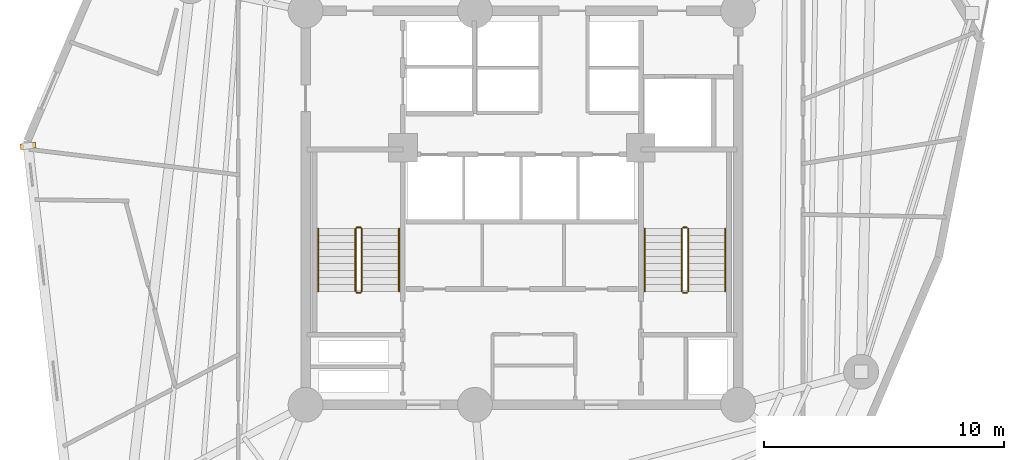
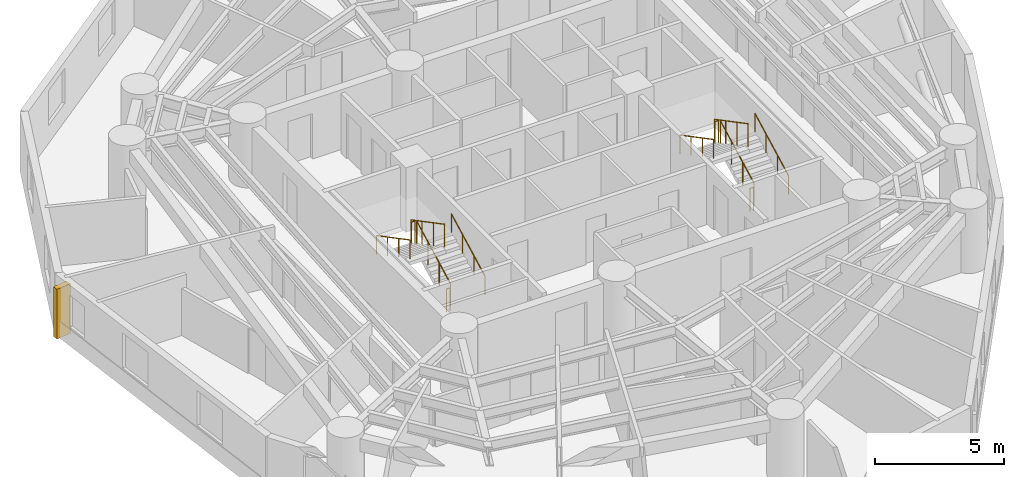
# One storey, part 8 of 9: 12 railings, 1 shading device.
"""IFC4 building model written with IfcOpenShell, lengths in metres."""

from ifc_helpers import new_model, si_unit, direction, frame, origin, origin_with_axes, origin_2d, place, context, subcontext, project, spatial, rectangle, circle, extrude, source, transform, mapped, material, layer, layer_set, type_object, element, save


model = new_model("IFC4")

# Units and contexts
model_context = context("Model", 3, precision=1e-05, world=origin(), true_north=direction((0.0, 1.0)))
body_context = subcontext(model_context, "Body", "Model", "MODEL_VIEW")
ifc_project = project(units=[si_unit("LENGTHUNIT", "METRE"), si_unit("AREAUNIT", "SQUARE_METRE"), si_unit("VOLUMEUNIT", "CUBIC_METRE"), si_unit("PLANEANGLEUNIT", "RADIAN"), si_unit("MASSUNIT", "GRAM", prefix="KILO")], contexts=[model_context])

# Site, building, storey
site_placement = place(None, origin())
site = spatial("IfcSite", under=ifc_project, at=site_placement, CompositionType="ELEMENT")
building_placement = place(site_placement, origin())
building = spatial("IfcBuilding", under=site, at=building_placement, Name="Karkom Vertical University and Central Library", CompositionType="ELEMENT")
storey_placement = place(building_placement, frame((0.0, 0.0, 129.75)))
storey = spatial("IfcBuildingStorey", under=building, at=storey_placement, Name="L36", CompositionType="ELEMENT", Elevation=129.75)

# Railings
ifc_material_1 = material(Name="Painted galvanised steel balustrade", Category="steel")
ifc_layer_1 = layer(ifc_material_1, 0.06005859375)
ifc_layer_set_1 = layer_set([ifc_layer_1], Name="Painted galvanised steel balustrade")
railing_type_1 = type_object("IfcRailingType", Name="INT-RL-GUARD1100", PredefinedType="GUARDRAIL", material=ifc_layer_set_1)
railing_1_placement = place(storey_placement, frame((21.840087890625, 23.02001953125, 0.152587890625)))
element("IfcRailing", 1, at=railing_1_placement, inside=storey, type_object=railing_type_1, Name="Level 36 ST-1 stair guard 1", PredefinedType="GUARDRAIL", context=body_context, shape_type="SweptSolid", body=[
    extrude(circle(Radius=0.02392578125, at=origin_2d()), frame((0.0, 0.0, 1.076171875), z_axis=(0.0, 0.885099554253, 0.465401739426), x_axis=(-1.0, 0.0, 0.0)), (0.0, 0.0, 1.0), 2.94873046875),
    extrude(circle(Radius=0.02099609375, at=origin_2d()), origin(), (0.0, 0.0, 1.0), 1.052001953125),
    extrude(circle(Radius=0.02099609375, at=origin_2d()), frame((0.0, 0.869873046875, 0.45751953125)), (0.0, 0.0, 1.0), 1.052001953125),
    extrude(circle(Radius=0.02099609375, at=origin_2d()), frame((0.0, 1.739990234375, 0.914794921875)), (0.0, 0.0, 1.0), 1.052001953125),
    extrude(circle(Radius=0.02099609375, at=origin_2d()), frame((0.0, 2.60986328125, 1.372314453125)), (0.0, 0.0, 1.0), 1.052001953125),
])
railing_2_placement = place(storey_placement, frame((21.7900390625, 25.679931640625, 1.52490234375)))
element("IfcRailing", 2, at=railing_2_placement, inside=storey, type_object=railing_type_1, Name="Level 36 ST-1 stair guard 2", PredefinedType="GUARDRAIL", context=body_context, shape_type="SweptSolid", body=[
    extrude(circle(Radius=0.02392578125, at=origin_2d()), frame((0.0, 0.0, 1.076171875), z_axis=(-1.0, 0.0, 0.0), x_axis=(0.0, -1.0, 0.0)), (0.0, 0.0, 1.0), 0.16015625),
    extrude(circle(Radius=0.02099609375, at=origin_2d()), origin(), (0.0, 0.0, 1.0), 1.052001953125),
    extrude(circle(Radius=0.02099609375, at=origin_2d()), frame((-0.16015625, 0.0, 0.0)), (0.0, 0.0, 1.0), 1.052001953125),
])
railing_3_placement = place(storey_placement, frame((21.580078125, 25.6298828125, 1.677490234375)))
element("IfcRailing", 3, at=railing_3_placement, inside=storey, type_object=railing_type_1, Name="Level 36 ST-1 stair guard 3", PredefinedType="GUARDRAIL", context=body_context, shape_type="SweptSolid", body=[
    extrude(circle(Radius=0.02392578125, at=origin_2d()), frame((0.0, 0.0, 1.076171875), z_axis=(0.0, -0.885065446896, 0.46546659892), x_axis=(1.0, 0.0, 0.0)), (0.0, 0.0, 1.0), 2.94873046875),
    extrude(circle(Radius=0.02099609375, at=origin_2d()), origin(), (0.0, 0.0, 1.0), 1.052001953125),
    extrude(circle(Radius=0.02099609375, at=origin_2d()), frame((0.0, -0.869873046875, 0.45751953125)), (0.0, 0.0, 1.0), 1.052001953125),
    extrude(circle(Radius=0.02099609375, at=origin_2d()), frame((0.0, -1.739990234375, 0.9150390625)), (0.0, 0.0, 1.0), 1.052001953125),
    extrude(circle(Radius=0.02099609375, at=origin_2d()), frame((0.0, -2.60986328125, 1.37255859375)), (0.0, 0.0, 1.0), 1.052001953125),
])
railing_4_placement = place(storey_placement, frame((21.7900390625, 22.969970703125, 0.0)))
element("IfcRailing", 4, at=railing_4_placement, inside=storey, type_object=railing_type_1, Name="Level 36 ST-1 stair guard 4", PredefinedType="GUARDRAIL", context=body_context, shape_type="SweptSolid", body=[
    extrude(circle(Radius=0.02392578125, at=origin_2d()), frame((0.0, 0.0, 1.076171875), z_axis=(-1.0, 0.0, 0.0), x_axis=(0.0, -1.0, 0.0)), (0.0, 0.0, 1.0), 0.16015625),
    extrude(circle(Radius=0.02099609375, at=origin_2d()), origin(), (0.0, 0.0, 1.0), 1.052001953125),
    extrude(circle(Radius=0.02099609375, at=origin_2d()), frame((-0.16015625, 0.0, 0.0)), (0.0, 0.0, 1.0), 1.052001953125),
])
railing_5_placement = place(storey_placement, frame((35.419921875, 23.02001953125, 0.152587890625)))
element("IfcRailing", 5, at=railing_5_placement, inside=storey, type_object=railing_type_1, Name="Level 36 ST-2 stair guard 1", PredefinedType="GUARDRAIL", context=body_context, shape_type="SweptSolid", body=[
    extrude(circle(Radius=0.02392578125, at=origin_2d()), frame((0.0, 0.0, 1.076171875), z_axis=(0.0, 0.885099554253, 0.465401739426), x_axis=(-1.0, 0.0, 0.0)), (0.0, 0.0, 1.0), 2.94873046875),
    extrude(circle(Radius=0.02099609375, at=origin_2d()), origin(), (0.0, 0.0, 1.0), 1.052001953125),
    extrude(circle(Radius=0.02099609375, at=origin_2d()), frame((0.0, 0.869873046875, 0.45751953125)), (0.0, 0.0, 1.0), 1.052001953125),
    extrude(circle(Radius=0.02099609375, at=origin_2d()), frame((0.0, 1.739990234375, 0.914794921875)), (0.0, 0.0, 1.0), 1.052001953125),
    extrude(circle(Radius=0.02099609375, at=origin_2d()), frame((0.0, 2.60986328125, 1.372314453125)), (0.0, 0.0, 1.0), 1.052001953125),
])
railing_6_placement = place(storey_placement, frame((35.3701171875, 25.679931640625, 1.52490234375)))
element("IfcRailing", 6, at=railing_6_placement, inside=storey, type_object=railing_type_1, Name="Level 36 ST-2 stair guard 2", PredefinedType="GUARDRAIL", context=body_context, shape_type="SweptSolid", body=[
    extrude(circle(Radius=0.02392578125, at=origin_2d()), frame((0.0, 0.0, 1.076171875), z_axis=(-1.0, 0.0, 0.0), x_axis=(0.0, -1.0, 0.0)), (0.0, 0.0, 1.0), 0.16015625),
    extrude(circle(Radius=0.02099609375, at=origin_2d()), origin(), (0.0, 0.0, 1.0), 1.052001953125),
    extrude(circle(Radius=0.02099609375, at=origin_2d()), frame((-0.16015625, 0.0, 0.0)), (0.0, 0.0, 1.0), 1.052001953125),
])
railing_7_placement = place(storey_placement, frame((35.159912109375, 25.6298828125, 1.677490234375)))
element("IfcRailing", 7, at=railing_7_placement, inside=storey, type_object=railing_type_1, Name="Level 36 ST-2 stair guard 3", PredefinedType="GUARDRAIL", context=body_context, shape_type="SweptSolid", body=[
    extrude(circle(Radius=0.02392578125, at=origin_2d()), frame((0.0, 0.0, 1.076171875), z_axis=(0.0, -0.885065446896, 0.46546659892), x_axis=(1.0, 0.0, 0.0)), (0.0, 0.0, 1.0), 2.94873046875),
    extrude(circle(Radius=0.02099609375, at=origin_2d()), origin(), (0.0, 0.0, 1.0), 1.052001953125),
    extrude(circle(Radius=0.02099609375, at=origin_2d()), frame((0.0, -0.869873046875, 0.45751953125)), (0.0, 0.0, 1.0), 1.052001953125),
    extrude(circle(Radius=0.02099609375, at=origin_2d()), frame((0.0, -1.739990234375, 0.9150390625)), (0.0, 0.0, 1.0), 1.052001953125),
    extrude(circle(Radius=0.02099609375, at=origin_2d()), frame((0.0, -2.60986328125, 1.37255859375)), (0.0, 0.0, 1.0), 1.052001953125),
])
railing_8_placement = place(storey_placement, frame((35.3701171875, 22.969970703125, 0.0)))
element("IfcRailing", 8, at=railing_8_placement, inside=storey, type_object=railing_type_1, Name="Level 36 ST-2 stair guard 4", PredefinedType="GUARDRAIL", context=body_context, shape_type="SweptSolid", body=[
    extrude(circle(Radius=0.02392578125, at=origin_2d()), frame((0.0, 0.0, 1.076171875), z_axis=(-1.0, 0.0, 0.0), x_axis=(0.0, -1.0, 0.0)), (0.0, 0.0, 1.0), 0.16015625),
    extrude(circle(Radius=0.02099609375, at=origin_2d()), origin(), (0.0, 0.0, 1.0), 1.052001953125),
    extrude(circle(Radius=0.02099609375, at=origin_2d()), frame((-0.16015625, 0.0, 0.0)), (0.0, 0.0, 1.0), 1.052001953125),
])
ifc_material_2 = material(Name="Brushed stainless-steel tubular handrail", Category="steel")
ifc_layer_2 = layer(ifc_material_2, 0.048095703125)
ifc_layer_set_2 = layer_set([ifc_layer_2], Name="Brushed stainless-steel tubular handrail")
railing_type_2 = type_object("IfcRailingType", Name="INT-RL-HAND920", PredefinedType="HANDRAIL", material=ifc_layer_set_2)
railing_9_placement = place(storey_placement, frame((23.389892578125, 23.02001953125, 0.152587890625)))
element("IfcRailing", 9, at=railing_9_placement, inside=storey, type_object=railing_type_2, Name="Level 36 ST-1 stair handrail 1", PredefinedType="HANDRAIL", context=body_context, shape_type="SweptSolid", body=[
    extrude(circle(Radius=0.02392578125, at=origin_2d()), frame((0.0, 0.0, 0.8759765625), z_axis=(0.0, 0.885099554253, 0.465401739426), x_axis=(-1.0, 0.0, 0.0)), (0.0, 0.0, 1.0), 2.94873046875),
    extrude(circle(Radius=0.02099609375, at=origin_2d()), origin(), (0.0, 0.0, 1.0), 0.851806640625),
    extrude(circle(Radius=0.02099609375, at=origin_2d()), frame((0.0, 0.869873046875, 0.45751953125)), (0.0, 0.0, 1.0), 0.851806640625),
    extrude(circle(Radius=0.02099609375, at=origin_2d()), frame((0.0, 1.739990234375, 0.914794921875)), (0.0, 0.0, 1.0), 0.851806640625),
    extrude(circle(Radius=0.02099609375, at=origin_2d()), frame((0.0, 2.60986328125, 1.372314453125)), (0.0, 0.0, 1.0), 0.851806640625),
])
railing_10_placement = place(storey_placement, frame((20.030029296875, 25.6298828125, 1.677490234375)))
element("IfcRailing", 10, at=railing_10_placement, inside=storey, type_object=railing_type_2, Name="Level 36 ST-1 stair handrail 2", PredefinedType="HANDRAIL", context=body_context, shape_type="SweptSolid", body=[
    extrude(circle(Radius=0.02392578125, at=origin_2d()), frame((0.0, 0.0, 0.8759765625), z_axis=(0.0, -0.885065446896, 0.46546659892), x_axis=(1.0, 0.0, 0.0)), (0.0, 0.0, 1.0), 2.94873046875),
    extrude(circle(Radius=0.02099609375, at=origin_2d()), origin(), (0.0, 0.0, 1.0), 0.851806640625),
    extrude(circle(Radius=0.02099609375, at=origin_2d()), frame((0.0, -0.869873046875, 0.45751953125)), (0.0, 0.0, 1.0), 0.851806640625),
    extrude(circle(Radius=0.02099609375, at=origin_2d()), frame((0.0, -1.739990234375, 0.9150390625)), (0.0, 0.0, 1.0), 0.851806640625),
    extrude(circle(Radius=0.02099609375, at=origin_2d()), frame((0.0, -2.60986328125, 1.37255859375)), (0.0, 0.0, 1.0), 0.851806640625),
])
railing_11_placement = place(storey_placement, frame((36.969970703125, 23.02001953125, 0.152587890625)))
element("IfcRailing", 11, at=railing_11_placement, inside=storey, type_object=railing_type_2, Name="Level 36 ST-2 stair handrail 1", PredefinedType="HANDRAIL", context=body_context, shape_type="SweptSolid", body=[
    extrude(circle(Radius=0.02392578125, at=origin_2d()), frame((0.0, 0.0, 0.8759765625), z_axis=(0.0, 0.885099554253, 0.465401739426), x_axis=(-1.0, 0.0, 0.0)), (0.0, 0.0, 1.0), 2.94873046875),
    extrude(circle(Radius=0.02099609375, at=origin_2d()), origin(), (0.0, 0.0, 1.0), 0.851806640625),
    extrude(circle(Radius=0.02099609375, at=origin_2d()), frame((0.0, 0.869873046875, 0.45751953125)), (0.0, 0.0, 1.0), 0.851806640625),
    extrude(circle(Radius=0.02099609375, at=origin_2d()), frame((0.0, 1.739990234375, 0.914794921875)), (0.0, 0.0, 1.0), 0.851806640625),
    extrude(circle(Radius=0.02099609375, at=origin_2d()), frame((0.0, 2.60986328125, 1.372314453125)), (0.0, 0.0, 1.0), 0.851806640625),
])
railing_12_placement = place(storey_placement, frame((33.610107421875, 25.6298828125, 1.677490234375)))
element("IfcRailing", 12, at=railing_12_placement, inside=storey, type_object=railing_type_2, Name="Level 36 ST-2 stair handrail 2", PredefinedType="HANDRAIL", context=body_context, shape_type="SweptSolid", body=[
    extrude(circle(Radius=0.02392578125, at=origin_2d()), frame((0.0, 0.0, 0.8759765625), z_axis=(0.0, -0.885065446896, 0.46546659892), x_axis=(1.0, 0.0, 0.0)), (0.0, 0.0, 1.0), 2.94873046875),
    extrude(circle(Radius=0.02099609375, at=origin_2d()), origin(), (0.0, 0.0, 1.0), 0.851806640625),
    extrude(circle(Radius=0.02099609375, at=origin_2d()), frame((0.0, -0.869873046875, 0.45751953125)), (0.0, 0.0, 1.0), 0.851806640625),
    extrude(circle(Radius=0.02099609375, at=origin_2d()), frame((0.0, -1.739990234375, 0.9150390625)), (0.0, 0.0, 1.0), 0.851806640625),
    extrude(circle(Radius=0.02099609375, at=origin_2d()), frame((0.0, -2.60986328125, 1.37255859375)), (0.0, 0.0, 1.0), 0.851806640625),
])

# Shading device
ifc_material_3 = material(Name="Terracotta-clad precast concrete sun-breaker fin C45/55", Category="masonry")
shading_device_type = type_object("IfcShadingDeviceType", Name="ENV-SHD-BRISE", PredefinedType="USERDEFINED", material=ifc_material_3)
shared_shape = source(origin_with_axes(), body_context, "Body", "SweptSolid", [
    extrude(rectangle(XDim=0.239990234375, YDim=0.639892578125, at=origin_2d()), origin(), (0.0, 0.0, 1.0), 2.35009765625),
])
shading_device_placement = place(storey_placement, frame((7.946044921875, 29.07470703125, 0.0), z_axis=(0.0, 0.0, 1.0), x_axis=(0.114417005998, -0.99343281038, 0.0)))
element("IfcShadingDevice", 13, at=shading_device_placement, inside=storey, type_object=shading_device_type, Name="Level 36 Brutalist Brise-Soleil Fin 01", ObjectType="BRISE SOLEIL", PredefinedType="USERDEFINED", context=body_context, shape_type="MappedRepresentation", body=[
    mapped(shared_shape, transform((0.0, 0.0, 0.0), scale=1.0)),
])

save(model, "model.ifc")
